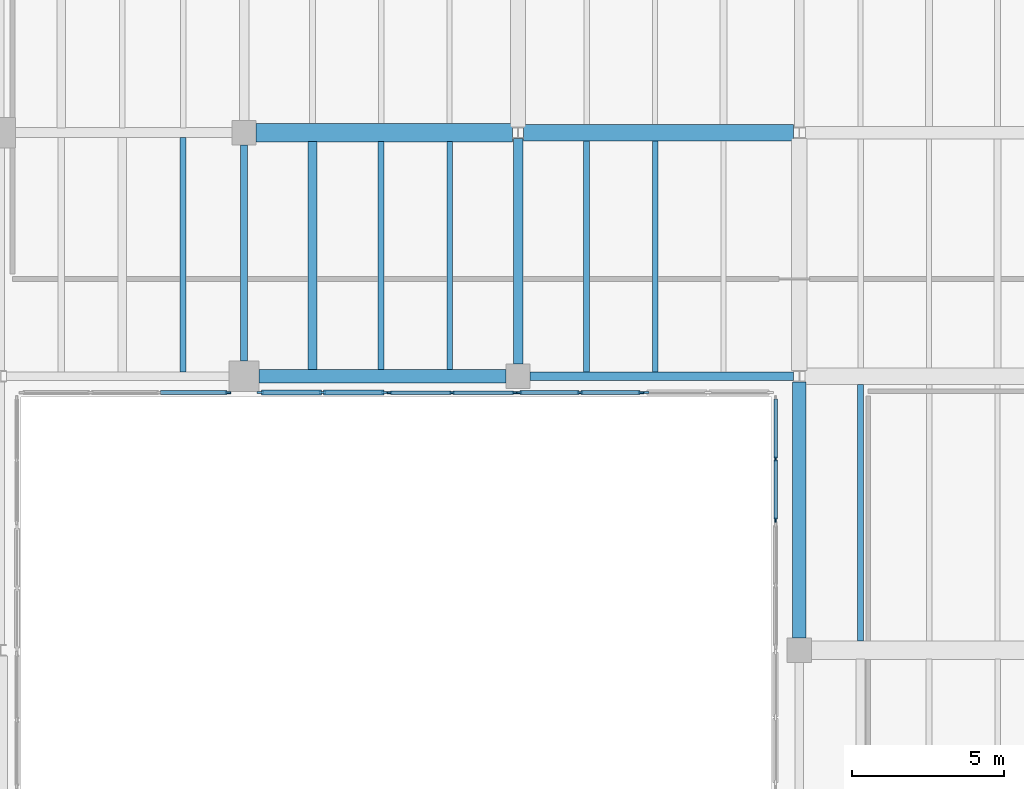
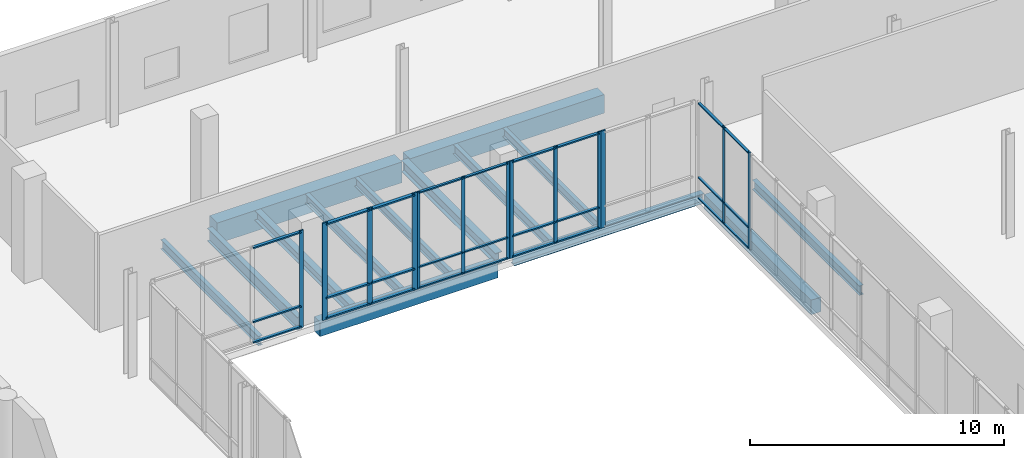
# One storey, part 47 of 81: 40 members, 14 beams, 6 elements without a shape of their own.
"""IFC4 building model written with IfcOpenShell, lengths in metres."""

from ifc_helpers import new_model, si_unit, direction, frame, origin, origin_2d, place, context, subcontext, project, spatial, rectangle, i_section, extrude, material, material_profile, profile_set, type_object, element, aggregate, save


model = new_model("IFC4")

# Units and contexts
model_context = context("Model", 3, precision=1e-05, world=origin(), true_north=direction((0.0, 1.0)))
body_context = subcontext(model_context, "Body", "Model", "MODEL_VIEW")
ifc_project = project(units=[si_unit("LENGTHUNIT", "METRE"), si_unit("AREAUNIT", "SQUARE_METRE"), si_unit("VOLUMEUNIT", "CUBIC_METRE"), si_unit("PLANEANGLEUNIT", "RADIAN"), si_unit("MASSUNIT", "GRAM", prefix="KILO")], contexts=[model_context])

# Site, building, storey
site_placement = place(None, origin())
site = spatial("IfcSite", under=ifc_project, at=site_placement, CompositionType="ELEMENT")
building_placement = place(site_placement, origin())
building = spatial("IfcBuilding", under=site, at=building_placement, Name="Trimount Lyric Opera House", CompositionType="ELEMENT")
storey_placement = place(building_placement, frame((0.0, 0.0, 5.0)))
storey = spatial("IfcBuildingStorey", under=building, at=storey_placement, Name="L01", CompositionType="ELEMENT", Elevation=5.0)

# Beams
ifc_material_1 = material(Name="Steel ASTM A992 Grade 50", Category="steel")
ifc_material_profile_1 = material_profile(ifc_material_1, i_section(OverallWidth=0.22998046875, OverallDepth=0.616943359375, WebThickness=0.01318359375, FlangeThickness=0.022216796875, FilletRadius=0.013916015625, at=origin_2d()), Name="W24X94")
ifc_profile_set_1 = profile_set([ifc_material_profile_1], Name="Steel ASTM A992 Grade 50")
beam_type_1 = type_object("IfcBeamType", Name="B-11", PredefinedType="BEAM", material=ifc_profile_set_1)
beam_1_placement = place(storey_placement, frame((130.0, 102.5, -0.618408203125), z_axis=(0.0, 1.0, 0.0), x_axis=(-1.0, 0.0, 0.0)))
element("IfcBeam", 1, at=beam_1_placement, inside=storey, type_object=beam_type_1, Name="L01 girder Y-0679", PredefinedType="BEAM", context=body_context, shape_type="SweptSolid", body=[
    extrude(i_section(OverallWidth=0.22998046875, OverallDepth=0.616943359375, WebThickness=0.01318359375, FlangeThickness=0.022216796875, FilletRadius=0.013916015625, at=origin_2d()), origin(), (0.0, 0.0, 1.0), 7.10009765625),
])
ifc_material_2 = material(Name="Steel ASTM A992 Grade 50", Category="steel")
ifc_material_profile_2 = material_profile(ifc_material_2, i_section(OverallWidth=0.31201171875, OverallDepth=0.5458984375, WebThickness=0.013916015625, FlangeThickness=0.022216796875, FilletRadius=0.014892578125, at=origin_2d()), Name="W21X111")
ifc_profile_set_2 = profile_set([ifc_material_profile_2], Name="Steel ASTM A992 Grade 50")
beam_type_2 = type_object("IfcBeamType", Name="B-12", PredefinedType="BEAM", material=ifc_profile_set_2)
beam_2_placement = place(storey_placement, frame((139.0, 102.39990234375, -0.5830078125), z_axis=(0.0, 1.0, 0.0), x_axis=(-1.0, 0.0, 0.0)))
element("IfcBeam", 2, at=beam_2_placement, inside=storey, type_object=beam_type_2, Name="L01 girder Y-0681", PredefinedType="BEAM", context=body_context, shape_type="SweptSolid", body=[
    extrude(i_section(OverallWidth=0.31201171875, OverallDepth=0.5458984375, WebThickness=0.013916015625, FlangeThickness=0.022216796875, FilletRadius=0.014892578125, at=origin_2d()), origin(), (0.0, 0.0, 1.0), 7.416015625),
])
ifc_material_3 = material(Name="Concrete C40/50", Category="concrete")
ifc_material_profile_3 = material_profile(ifc_material_3, rectangle(XDim=0.60009765625, YDim=1.0, at=origin_2d()), Name="RC600X1000")
ifc_profile_set_3 = profile_set([ifc_material_profile_3], Name="Concrete C40/50")
beam_type_3 = type_object("IfcBeamType", Name="B-13", PredefinedType="BEAM", material=ifc_profile_set_3)
beam_3_placement = place(storey_placement, frame((130.39990234375, 110.0, -0.81005859375), z_axis=(1.0, 0.0, 0.0), x_axis=(0.0, 1.0, 0.0)))
element("IfcBeam", 3, at=beam_3_placement, inside=storey, type_object=beam_type_3, Name="L01 girder X-0570", PredefinedType="BEAM", context=body_context, shape_type="SweptSolid", body=[
    extrude(rectangle(XDim=0.60009765625, YDim=1.0, at=origin_2d()), origin(), (0.0, 0.0, 1.0), 8.41357421875),
])
ifc_material_4 = material(Name="Concrete C40/50", Category="concrete")
ifc_material_profile_4 = material_profile(ifc_material_4, rectangle(XDim=0.550048828125, YDim=0.89990234375, at=origin_2d()), Name="RC550X900")
ifc_profile_set_4 = profile_set([ifc_material_profile_4], Name="Concrete C40/50")
beam_type_4 = type_object("IfcBeamType", Name="B-14", PredefinedType="BEAM", material=ifc_profile_set_4)
beam_4_placement = place(storey_placement, frame((139.1865234375, 110.0, -0.760009765625), z_axis=(1.0, 0.0, 0.0), x_axis=(0.0, 1.0, 0.0)))
element("IfcBeam", 4, at=beam_4_placement, inside=storey, type_object=beam_type_4, Name="L01 girder X-0571", PredefinedType="BEAM", context=body_context, shape_type="SweptSolid", body=[
    extrude(rectangle(XDim=0.550048828125, YDim=0.89990234375, at=origin_2d()), origin(), (0.0, 0.0, 1.0), 8.85400390625),
])
ifc_material_5 = material(Name="Steel ASTM A992 Grade 50", Category="steel")
ifc_material_profile_5 = material_profile(ifc_material_5, i_section(OverallWidth=0.281982421875, OverallDepth=0.467041015625, WebThickness=0.01220703125, FlangeThickness=0.01953125, FilletRadius=0.012939453125, at=origin_2d()), Name="W18X86")
ifc_profile_set_5 = profile_set([ifc_material_profile_5], Name="Steel ASTM A992 Grade 50")
beam_type_5 = type_object("IfcBeamType", Name="J-03", PredefinedType="BEAM", material=ifc_profile_set_5)
beam_5_placement = place(storey_placement, frame((132.25, 102.220947265625, -0.54345703125), z_axis=(0.0, 1.0, 0.0), x_axis=(-1.0, 0.0, 0.0)))
element("IfcBeam", 5, at=beam_5_placement, inside=storey, type_object=beam_type_5, Name="L01 composite floor joist 0722", PredefinedType="BEAM", context=body_context, shape_type="SweptSolid", body=[
    extrude(i_section(OverallWidth=0.281982421875, OverallDepth=0.467041015625, WebThickness=0.01220703125, FlangeThickness=0.01953125, FilletRadius=0.012939453125, at=origin_2d()), origin(), (0.0, 0.0, 1.0), 7.483154296875),
])
ifc_material_6 = material(Name="Steel ASTM A992 Grade 50", Category="steel")
ifc_material_profile_6 = material_profile(ifc_material_6, i_section(OverallWidth=0.19091796875, OverallDepth=0.45703125, WebThickness=0.009033203125, FlangeThickness=0.014404296875, FilletRadius=0.010986328125, at=origin_2d()), Name="W18X50")
ifc_profile_set_6 = profile_set([ifc_material_profile_6], Name="Steel ASTM A992 Grade 50")
beam_type_6 = type_object("IfcBeamType", Name="J-04", PredefinedType="BEAM", material=ifc_profile_set_6)
beam_6_placement = place(storey_placement, frame((128.0, 102.136962890625, -0.53857421875), z_axis=(0.0, 1.0, 0.0), x_axis=(-1.0, 0.0, 0.0)))
element("IfcBeam", 6, at=beam_6_placement, inside=storey, type_object=beam_type_6, Name="L01 composite floor joist 0718", PredefinedType="BEAM", context=body_context, shape_type="SweptSolid", body=[
    extrude(i_section(OverallWidth=0.19091796875, OverallDepth=0.45703125, WebThickness=0.009033203125, FlangeThickness=0.014404296875, FilletRadius=0.010986328125, at=origin_2d()), origin(), (0.0, 0.0, 1.0), 7.703125),
])
beam_7_placement = place(storey_placement, frame((134.5, 102.220947265625, -0.53857421875), z_axis=(0.0, 1.0, 0.0), x_axis=(-1.0, 0.0, 0.0)))
element("IfcBeam", 7, at=beam_7_placement, inside=storey, type_object=beam_type_6, Name="L01 composite floor joist 0723", PredefinedType="BEAM", context=body_context, shape_type="SweptSolid", body=[
    extrude(i_section(OverallWidth=0.19091796875, OverallDepth=0.45703125, WebThickness=0.009033203125, FlangeThickness=0.014404296875, FilletRadius=0.010986328125, at=origin_2d()), origin(), (0.0, 0.0, 1.0), 7.483154296875),
])
beam_8_placement = place(storey_placement, frame((141.25, 102.136962890625, -0.53857421875), z_axis=(0.0, 1.0, 0.0), x_axis=(-1.0, 0.0, 0.0)))
element("IfcBeam", 8, at=beam_8_placement, inside=storey, type_object=beam_type_6, Name="L01 composite floor joist 0728", PredefinedType="BEAM", context=body_context, shape_type="SweptSolid", body=[
    extrude(i_section(OverallWidth=0.19091796875, OverallDepth=0.45703125, WebThickness=0.009033203125, FlangeThickness=0.014404296875, FilletRadius=0.010986328125, at=origin_2d()), origin(), (0.0, 0.0, 1.0), 7.592041015625),
])
beam_9_placement = place(storey_placement, frame((150.25, 93.2958984375, -0.53857421875), z_axis=(0.0, 1.0, 0.0), x_axis=(-1.0, 0.0, 0.0)))
element("IfcBeam", 9, at=beam_9_placement, inside=storey, type_object=beam_type_6, Name="L01 composite floor joist 0746", PredefinedType="BEAM", context=body_context, shape_type="SweptSolid", body=[
    extrude(i_section(OverallWidth=0.19091796875, OverallDepth=0.45703125, WebThickness=0.009033203125, FlangeThickness=0.014404296875, FilletRadius=0.010986328125, at=origin_2d()), origin(), (0.0, 0.0, 1.0), 8.43310546875),
])
ifc_material_7 = material(Name="Steel ASTM A992 Grade 50", Category="steel")
ifc_material_profile_7 = material_profile(ifc_material_7, i_section(OverallWidth=0.180908203125, OverallDepth=0.4169921875, WebThickness=0.010986328125, FlangeThickness=0.018310546875, FilletRadius=0.010986328125, at=origin_2d()), Name="W16X57")
ifc_profile_set_7 = profile_set([ifc_material_profile_7], Name="Steel ASTM A992 Grade 50")
beam_type_7 = type_object("IfcBeamType", Name="J-05", PredefinedType="BEAM", material=ifc_profile_set_7)
beam_10_placement = place(storey_placement, frame((136.75, 102.220947265625, -0.5185546875), z_axis=(0.0, 1.0, 0.0), x_axis=(-1.0, 0.0, 0.0)))
element("IfcBeam", 10, at=beam_10_placement, inside=storey, type_object=beam_type_7, Name="L01 composite floor joist 0724", PredefinedType="BEAM", context=body_context, shape_type="SweptSolid", body=[
    extrude(i_section(OverallWidth=0.180908203125, OverallDepth=0.4169921875, WebThickness=0.010986328125, FlangeThickness=0.018310546875, FilletRadius=0.010986328125, at=origin_2d()), origin(), (0.0, 0.0, 1.0), 7.483154296875),
])
beam_11_placement = place(storey_placement, frame((143.5, 102.136962890625, -0.5185546875), z_axis=(0.0, 1.0, 0.0), x_axis=(-1.0, 0.0, 0.0)))
element("IfcBeam", 11, at=beam_11_placement, inside=storey, type_object=beam_type_7, Name="L01 composite floor joist 0729", PredefinedType="BEAM", context=body_context, shape_type="SweptSolid", body=[
    extrude(i_section(OverallWidth=0.180908203125, OverallDepth=0.4169921875, WebThickness=0.010986328125, FlangeThickness=0.018310546875, FilletRadius=0.010986328125, at=origin_2d()), origin(), (0.0, 0.0, 1.0), 7.592041015625),
])

# Curtain wall, member
ifc_material_8 = material(Name="Thermally Broken Aluminium and Low-E Glass", Category="aluminium")
curtain_wall_type = type_object("IfcCurtainWallType", Name="CW-03", PredefinedType="NOTDEFINED", material=ifc_material_8)
curtain_wall_1_placement = place(storey_placement, origin())
curtain_wall_1 = element("IfcCurtainWall", 12, at=curtain_wall_1_placement, inside=storey, type_object=curtain_wall_type, Name="L01 curtain wall 132", PredefinedType="NOTDEFINED")
ifc_material_9 = material(Name="Anodised Aluminium 6063-T6", Category="aluminium")
ifc_material_profile_8 = material_profile(ifc_material_9, rectangle(XDim=0.070068359375, YDim=0.219970703125, at=origin_2d()), Name="ALU-MULL-70X220")
ifc_profile_set_8 = profile_set([ifc_material_profile_8], Name="Anodised Aluminium 6063-T6")
member_type_1 = type_object("IfcMemberType", Name="ML-01", PredefinedType="MULLION", material=ifc_profile_set_8)
member_1_placement = place(storey_placement, frame((143.195068359375, 101.4599609375, 0.0), z_axis=(0.0, 0.0, 1.0), x_axis=(0.0, -1.0, 0.0)))
member_1 = element("IfcMember", 13, at=member_1_placement, type_object=member_type_1, Name="CW-03 mullion 3", PredefinedType="MULLION", context=body_context, shape_type="SweptSolid", body=[
    extrude(rectangle(XDim=0.070068359375, YDim=0.219970703125, at=origin_2d()), origin(), (0.0, 0.0, 1.0), 4.679931640625),
])
aggregate(curtain_wall_1, [member_1])

# Curtain wall, members
curtain_wall_2_placement = place(storey_placement, origin())
curtain_wall_2 = element("IfcCurtainWall", 14, at=curtain_wall_2_placement, inside=storey, type_object=curtain_wall_type, Name="L01 curtain wall 135", PredefinedType="NOTDEFINED")
member_2_placement = place(storey_placement, frame((134.625, 101.4599609375, 0.0), z_axis=(0.0, 0.0, 1.0), x_axis=(0.0, -1.0, 0.0)))
member_2 = element("IfcMember", 15, at=member_2_placement, type_object=member_type_1, Name="CW-03 mullion 1", PredefinedType="MULLION", context=body_context, shape_type="SweptSolid", body=[
    extrude(rectangle(XDim=0.070068359375, YDim=0.219970703125, at=origin_2d()), origin(), (0.0, 0.0, 1.0), 4.679931640625),
])
member_3_placement = place(storey_placement, frame((132.580078125, 101.4599609375, 0.0), z_axis=(0.0, 0.0, 1.0), x_axis=(0.0, -1.0, 0.0)))
member_3 = element("IfcMember", 16, at=member_3_placement, type_object=member_type_1, Name="CW-03 mullion 2", PredefinedType="MULLION", context=body_context, shape_type="SweptSolid", body=[
    extrude(rectangle(XDim=0.070068359375, YDim=0.219970703125, at=origin_2d()), origin(), (0.0, 0.0, 1.0), 4.679931640625),
])
member_4_placement = place(storey_placement, frame((130.534912109375, 101.4599609375, 0.0), z_axis=(0.0, 0.0, 1.0), x_axis=(0.0, -1.0, 0.0)))
member_4 = element("IfcMember", 17, at=member_4_placement, type_object=member_type_1, Name="CW-03 mullion 3", PredefinedType="MULLION", context=body_context, shape_type="SweptSolid", body=[
    extrude(rectangle(XDim=0.070068359375, YDim=0.219970703125, at=origin_2d()), origin(), (0.0, 0.0, 1.0), 4.679931640625),
])

curtain_wall_3_placement = place(storey_placement, origin())
curtain_wall_3 = element("IfcCurtainWall", 18, at=curtain_wall_3_placement, inside=storey, type_object=curtain_wall_type, Name="L01 curtain wall 133", PredefinedType="NOTDEFINED")
ifc_material_10 = material(Name="Anodised Aluminium 6063-T6", Category="aluminium")
ifc_material_profile_9 = material_profile(ifc_material_10, rectangle(XDim=0.06494140625, YDim=0.179931640625, at=origin_2d()), Name="ALU-MULL-65X180")
ifc_profile_set_9 = profile_set([ifc_material_profile_9], Name="Anodised Aluminium 6063-T6")
member_type_2 = type_object("IfcMemberType", Name="ML-02", PredefinedType="MULLION", material=ifc_profile_set_9)
member_5_placement = place(storey_placement, frame((143.03759765625, 101.4599609375, 0.0), z_axis=(0.0, 0.0, 1.0), x_axis=(0.0, -1.0, 0.0)))
member_5 = element("IfcMember", 19, at=member_5_placement, type_object=member_type_2, Name="CW-03 mullion 1", PredefinedType="MULLION", context=body_context, shape_type="SweptSolid", body=[
    extrude(rectangle(XDim=0.06494140625, YDim=0.179931640625, at=origin_2d()), origin(), (0.0, 0.0, 1.0), 4.679931640625),
])
member_6_placement = place(storey_placement, frame((141.034912109375, 101.4599609375, 0.0), z_axis=(0.0, 0.0, 1.0), x_axis=(0.0, -1.0, 0.0)))
member_6 = element("IfcMember", 20, at=member_6_placement, type_object=member_type_2, Name="CW-03 mullion 2", PredefinedType="MULLION", context=body_context, shape_type="SweptSolid", body=[
    extrude(rectangle(XDim=0.06494140625, YDim=0.179931640625, at=origin_2d()), origin(), (0.0, 0.0, 1.0), 4.679931640625),
])
member_7_placement = place(storey_placement, frame((139.032470703125, 101.4599609375, 0.0), z_axis=(0.0, 0.0, 1.0), x_axis=(0.0, -1.0, 0.0)))
member_7 = element("IfcMember", 21, at=member_7_placement, type_object=member_type_2, Name="CW-03 mullion 3", PredefinedType="MULLION", context=body_context, shape_type="SweptSolid", body=[
    extrude(rectangle(XDim=0.06494140625, YDim=0.179931640625, at=origin_2d()), origin(), (0.0, 0.0, 1.0), 4.679931640625),
])

# Curtain wall, member
curtain_wall_4_placement = place(storey_placement, origin())
curtain_wall_4 = element("IfcCurtainWall", 22, at=curtain_wall_4_placement, inside=storey, type_object=curtain_wall_type, Name="L01 curtain wall 136", PredefinedType="NOTDEFINED")
member_8_placement = place(storey_placement, frame((129.467529296875, 101.4599609375, 0.0), z_axis=(0.0, 0.0, 1.0), x_axis=(0.0, -1.0, 0.0)))
member_8 = element("IfcMember", 23, at=member_8_placement, type_object=member_type_2, Name="CW-03 mullion 1", PredefinedType="MULLION", context=body_context, shape_type="SweptSolid", body=[
    extrude(rectangle(XDim=0.06494140625, YDim=0.179931640625, at=origin_2d()), origin(), (0.0, 0.0, 1.0), 4.679931640625),
])

# Curtain wall, members
curtain_wall_5_placement = place(storey_placement, origin())
curtain_wall_5 = element("IfcCurtainWall", 24, at=curtain_wall_5_placement, inside=storey, type_object=curtain_wall_type, Name="L01 curtain wall 131", PredefinedType="NOTDEFINED")
ifc_material_11 = material(Name="Anodised Aluminium 6063-T6", Category="aluminium")
ifc_material_profile_10 = material_profile(ifc_material_11, rectangle(XDim=0.06005859375, YDim=0.14990234375, at=origin_2d()), Name="ALU-MULL-60X150")
ifc_profile_set_10 = profile_set([ifc_material_profile_10], Name="Anodised Aluminium 6063-T6")
member_type_3 = type_object("IfcMemberType", Name="ML-03", PredefinedType="MULLION", material=ifc_profile_set_10)
member_9_placement = place(storey_placement, frame((147.4599609375, 97.280029296875, 0.0), z_axis=(0.0, 0.0, 1.0), x_axis=(-1.0, 0.0, 0.0)))
member_9 = element("IfcMember", 25, at=member_9_placement, type_object=member_type_3, Name="CW-03 mullion 1", PredefinedType="MULLION", context=body_context, shape_type="SweptSolid", body=[
    extrude(rectangle(XDim=0.06005859375, YDim=0.14990234375, at=origin_2d()), origin(), (0.0, 0.0, 1.0), 4.679931640625),
])
member_10_placement = place(storey_placement, frame((147.4599609375, 99.284912109375, 0.0), z_axis=(0.0, 0.0, 1.0), x_axis=(-1.0, 0.0, 0.0)))
member_10 = element("IfcMember", 26, at=member_10_placement, type_object=member_type_3, Name="CW-03 mullion 2", PredefinedType="MULLION", context=body_context, shape_type="SweptSolid", body=[
    extrude(rectangle(XDim=0.06005859375, YDim=0.14990234375, at=origin_2d()), origin(), (0.0, 0.0, 1.0), 4.679931640625),
])

curtain_wall_6_placement = place(storey_placement, origin())
curtain_wall_6 = element("IfcCurtainWall", 27, at=curtain_wall_6_placement, inside=storey, type_object=curtain_wall_type, Name="L01 curtain wall 134", PredefinedType="NOTDEFINED")
member_11_placement = place(storey_placement, frame((138.8798828125, 101.4599609375, 0.0), z_axis=(0.0, 0.0, 1.0), x_axis=(0.0, -1.0, 0.0)))
member_11 = element("IfcMember", 28, at=member_11_placement, type_object=member_type_3, Name="CW-03 mullion 1", PredefinedType="MULLION", context=body_context, shape_type="SweptSolid", body=[
    extrude(rectangle(XDim=0.06005859375, YDim=0.14990234375, at=origin_2d()), origin(), (0.0, 0.0, 1.0), 4.679931640625),
])
member_12_placement = place(storey_placement, frame((136.830078125, 101.4599609375, 0.0), z_axis=(0.0, 0.0, 1.0), x_axis=(0.0, -1.0, 0.0)))
member_12 = element("IfcMember", 29, at=member_12_placement, type_object=member_type_3, Name="CW-03 mullion 2", PredefinedType="MULLION", context=body_context, shape_type="SweptSolid", body=[
    extrude(rectangle(XDim=0.06005859375, YDim=0.14990234375, at=origin_2d()), origin(), (0.0, 0.0, 1.0), 4.679931640625),
])
member_13_placement = place(storey_placement, frame((134.780029296875, 101.4599609375, 0.0), z_axis=(0.0, 0.0, 1.0), x_axis=(0.0, -1.0, 0.0)))
member_13 = element("IfcMember", 30, at=member_13_placement, type_object=member_type_3, Name="CW-03 mullion 3", PredefinedType="MULLION", context=body_context, shape_type="SweptSolid", body=[
    extrude(rectangle(XDim=0.06005859375, YDim=0.14990234375, at=origin_2d()), origin(), (0.0, 0.0, 1.0), 4.679931640625),
])

# Beams
ifc_material_12 = material(Name="Steel ASTM A992 Grade 50", Category="steel")
ifc_material_profile_11 = material_profile(ifc_material_12, i_section(OverallWidth=0.281982421875, OverallDepth=0.467041015625, WebThickness=0.01220703125, FlangeThickness=0.01953125, FilletRadius=0.012939453125, at=origin_2d()), Name="W18X86")
ifc_profile_set_11 = profile_set([ifc_material_profile_11], Name="Steel ASTM A992 Grade 50")
beam_type_8 = type_object("IfcBeamType", Name="SP-01", PredefinedType="SPANDREL", material=ifc_profile_set_11)
beam_12_placement = place(storey_placement, frame((139.39990234375, 102.0, -0.54345703125), z_axis=(1.0, 0.0, 0.0), x_axis=(0.0, 1.0, 0.0)))
element("IfcBeam", 31, at=beam_12_placement, inside=storey, type_object=beam_type_8, Name="L01 girder X-0559", PredefinedType="SPANDREL", context=body_context, shape_type="SweptSolid", body=[
    extrude(i_section(OverallWidth=0.281982421875, OverallDepth=0.467041015625, WebThickness=0.01220703125, FlangeThickness=0.01953125, FilletRadius=0.012939453125, at=origin_2d()), origin(), (0.0, 0.0, 1.0), 8.653564453125),
])
ifc_material_13 = material(Name="Concrete C40/50", Category="concrete")
ifc_material_profile_12 = material_profile(ifc_material_13, rectangle(XDim=0.449951171875, YDim=0.699951171875, at=origin_2d()), Name="RC450X700")
ifc_profile_set_12 = profile_set([ifc_material_profile_12], Name="Concrete C40/50")
beam_type_9 = type_object("IfcBeamType", Name="SP-02", PredefinedType="SPANDREL", material=ifc_profile_set_12)
beam_13_placement = place(storey_placement, frame((130.5, 102.0, -0.659912109375), z_axis=(1.0, 0.0, 0.0), x_axis=(0.0, 1.0, 0.0)))
element("IfcBeam", 32, at=beam_13_placement, inside=storey, type_object=beam_type_9, Name="L01 girder X-0558", PredefinedType="SPANDREL", context=body_context, shape_type="SweptSolid", body=[
    extrude(rectangle(XDim=0.449951171875, YDim=0.699951171875, at=origin_2d()), origin(), (0.0, 0.0, 1.0), 8.10009765625),
])
beam_14_placement = place(storey_placement, frame((148.239990234375, 93.39990234375, -0.659912109375), z_axis=(0.0, 1.0, 0.0), x_axis=(-1.0, 0.0, 0.0)))
element("IfcBeam", 33, at=beam_14_placement, inside=storey, type_object=beam_type_9, Name="L01 girder Y-0688", PredefinedType="SPANDREL", context=body_context, shape_type="SweptSolid", body=[
    extrude(rectangle(XDim=0.449951171875, YDim=0.699951171875, at=origin_2d()), origin(), (0.0, 0.0, 1.0), 8.416015625),
])

# Member
ifc_material_14 = material(Name="Anodised Aluminium 6063-T6", Category="aluminium")
ifc_material_profile_13 = material_profile(ifc_material_14, rectangle(XDim=0.159912109375, YDim=0.070068359375, at=origin_2d()), Name="ALU-TRAN-70X160")
ifc_profile_set_13 = profile_set([ifc_material_profile_13], Name="Anodised Aluminium 6063-T6")
member_type_4 = type_object("IfcMemberType", Name="TR-01", PredefinedType="USERDEFINED", material=ifc_profile_set_13)
member_14_placement = place(storey_placement, frame((134.590087890625, 101.4599609375, 0.080078125), z_axis=(-1.0, 0.0, 0.0), x_axis=(0.0, -1.0, 0.0)))
member_14 = element("IfcMember", 34, at=member_14_placement, type_object=member_type_4, Name="CW-03 transom 1.1", ObjectType="TRANSOM", PredefinedType="USERDEFINED", context=body_context, shape_type="SweptSolid", body=[
    extrude(rectangle(XDim=0.159912109375, YDim=0.070068359375, at=origin_2d()), origin(), (0.0, 0.0, 1.0), 1.97509765625),
])

member_15_placement = place(storey_placement, frame((134.590087890625, 101.4599609375, 1.050048828125), z_axis=(-1.0, 0.0, 0.0), x_axis=(0.0, -1.0, 0.0)))
member_15 = element("IfcMember", 35, at=member_15_placement, type_object=member_type_4, Name="CW-03 transom 1.2", ObjectType="TRANSOM", PredefinedType="USERDEFINED", context=body_context, shape_type="SweptSolid", body=[
    extrude(rectangle(XDim=0.159912109375, YDim=0.070068359375, at=origin_2d()), origin(), (0.0, 0.0, 1.0), 1.97509765625),
])

member_16_placement = place(storey_placement, frame((134.590087890625, 101.4599609375, 4.60009765625), z_axis=(-1.0, 0.0, 0.0), x_axis=(0.0, -1.0, 0.0)))
member_16 = element("IfcMember", 36, at=member_16_placement, type_object=member_type_4, Name="CW-03 transom 1.3", ObjectType="TRANSOM", PredefinedType="USERDEFINED", context=body_context, shape_type="SweptSolid", body=[
    extrude(rectangle(XDim=0.159912109375, YDim=0.070068359375, at=origin_2d()), origin(), (0.0, 0.0, 1.0), 1.97509765625),
])

member_17_placement = place(storey_placement, frame((132.544921875, 101.4599609375, 0.080078125), z_axis=(-1.0, 0.0, 0.0), x_axis=(0.0, -1.0, 0.0)))
member_17 = element("IfcMember", 37, at=member_17_placement, type_object=member_type_4, Name="CW-03 transom 2.1", ObjectType="TRANSOM", PredefinedType="USERDEFINED", context=body_context, shape_type="SweptSolid", body=[
    extrude(rectangle(XDim=0.159912109375, YDim=0.070068359375, at=origin_2d()), origin(), (0.0, 0.0, 1.0), 1.974853515625),
])

member_18_placement = place(storey_placement, frame((132.544921875, 101.4599609375, 1.050048828125), z_axis=(-1.0, 0.0, 0.0), x_axis=(0.0, -1.0, 0.0)))
member_18 = element("IfcMember", 38, at=member_18_placement, type_object=member_type_4, Name="CW-03 transom 2.2", ObjectType="TRANSOM", PredefinedType="USERDEFINED", context=body_context, shape_type="SweptSolid", body=[
    extrude(rectangle(XDim=0.159912109375, YDim=0.070068359375, at=origin_2d()), origin(), (0.0, 0.0, 1.0), 1.974853515625),
])

member_19_placement = place(storey_placement, frame((132.544921875, 101.4599609375, 4.60009765625), z_axis=(-1.0, 0.0, 0.0), x_axis=(0.0, -1.0, 0.0)))
member_19 = element("IfcMember", 39, at=member_19_placement, type_object=member_type_4, Name="CW-03 transom 2.3", ObjectType="TRANSOM", PredefinedType="USERDEFINED", context=body_context, shape_type="SweptSolid", body=[
    extrude(rectangle(XDim=0.159912109375, YDim=0.070068359375, at=origin_2d()), origin(), (0.0, 0.0, 1.0), 1.974853515625),
])

aggregate(curtain_wall_2, [member_2, member_3, member_4, member_14, member_15, member_16, member_17, member_18, member_19])

ifc_material_15 = material(Name="Anodised Aluminium 6063-T6", Category="aluminium")
ifc_material_profile_14 = material_profile(ifc_material_15, rectangle(XDim=0.135009765625, YDim=0.06494140625, at=origin_2d()), Name="ALU-TRAN-65X135")
ifc_profile_set_14 = profile_set([ifc_material_profile_14], Name="Anodised Aluminium 6063-T6")
member_type_5 = type_object("IfcMemberType", Name="TR-02", PredefinedType="USERDEFINED", material=ifc_profile_set_14)
member_20_placement = place(storey_placement, frame((143.0048828125, 101.4599609375, 0.0673828125), z_axis=(-1.0, 0.0, 0.0), x_axis=(0.0, -1.0, 0.0)))
member_20 = element("IfcMember", 40, at=member_20_placement, type_object=member_type_5, Name="CW-03 transom 1.1", ObjectType="TRANSOM", PredefinedType="USERDEFINED", context=body_context, shape_type="SweptSolid", body=[
    extrude(rectangle(XDim=0.135009765625, YDim=0.06494140625, at=origin_2d()), origin(), (0.0, 0.0, 1.0), 1.9375),
])

member_21_placement = place(storey_placement, frame((143.0048828125, 101.4599609375, 1.050048828125), z_axis=(-1.0, 0.0, 0.0), x_axis=(0.0, -1.0, 0.0)))
member_21 = element("IfcMember", 41, at=member_21_placement, type_object=member_type_5, Name="CW-03 transom 1.2", ObjectType="TRANSOM", PredefinedType="USERDEFINED", context=body_context, shape_type="SweptSolid", body=[
    extrude(rectangle(XDim=0.135009765625, YDim=0.06494140625, at=origin_2d()), origin(), (0.0, 0.0, 1.0), 1.9375),
])

member_22_placement = place(storey_placement, frame((143.0048828125, 101.4599609375, 4.612548828125), z_axis=(-1.0, 0.0, 0.0), x_axis=(0.0, -1.0, 0.0)))
member_22 = element("IfcMember", 42, at=member_22_placement, type_object=member_type_5, Name="CW-03 transom 1.3", ObjectType="TRANSOM", PredefinedType="USERDEFINED", context=body_context, shape_type="SweptSolid", body=[
    extrude(rectangle(XDim=0.135009765625, YDim=0.06494140625, at=origin_2d()), origin(), (0.0, 0.0, 1.0), 1.9375),
])

member_23_placement = place(storey_placement, frame((141.00244140625, 101.4599609375, 0.0673828125), z_axis=(-1.0, 0.0, 0.0), x_axis=(0.0, -1.0, 0.0)))
member_23 = element("IfcMember", 43, at=member_23_placement, type_object=member_type_5, Name="CW-03 transom 2.1", ObjectType="TRANSOM", PredefinedType="USERDEFINED", context=body_context, shape_type="SweptSolid", body=[
    extrude(rectangle(XDim=0.135009765625, YDim=0.06494140625, at=origin_2d()), origin(), (0.0, 0.0, 1.0), 1.9375),
])

member_24_placement = place(storey_placement, frame((141.00244140625, 101.4599609375, 1.050048828125), z_axis=(-1.0, 0.0, 0.0), x_axis=(0.0, -1.0, 0.0)))
member_24 = element("IfcMember", 44, at=member_24_placement, type_object=member_type_5, Name="CW-03 transom 2.2", ObjectType="TRANSOM", PredefinedType="USERDEFINED", context=body_context, shape_type="SweptSolid", body=[
    extrude(rectangle(XDim=0.135009765625, YDim=0.06494140625, at=origin_2d()), origin(), (0.0, 0.0, 1.0), 1.9375),
])

member_25_placement = place(storey_placement, frame((141.00244140625, 101.4599609375, 4.612548828125), z_axis=(-1.0, 0.0, 0.0), x_axis=(0.0, -1.0, 0.0)))
member_25 = element("IfcMember", 45, at=member_25_placement, type_object=member_type_5, Name="CW-03 transom 2.3", ObjectType="TRANSOM", PredefinedType="USERDEFINED", context=body_context, shape_type="SweptSolid", body=[
    extrude(rectangle(XDim=0.135009765625, YDim=0.06494140625, at=origin_2d()), origin(), (0.0, 0.0, 1.0), 1.9375),
])

aggregate(curtain_wall_3, [member_5, member_6, member_7, member_20, member_21, member_22, member_23, member_24, member_25])

member_26_placement = place(storey_placement, frame((129.43505859375, 101.4599609375, 0.0673828125), z_axis=(-1.0, 0.0, 0.0), x_axis=(0.0, -1.0, 0.0)))
member_26 = element("IfcMember", 46, at=member_26_placement, type_object=member_type_5, Name="CW-03 transom 1.1", ObjectType="TRANSOM", PredefinedType="USERDEFINED", context=body_context, shape_type="SweptSolid", body=[
    extrude(rectangle(XDim=0.135009765625, YDim=0.06494140625, at=origin_2d()), origin(), (0.0, 0.0, 1.0), 2.17578125),
])

member_27_placement = place(storey_placement, frame((129.43505859375, 101.4599609375, 1.050048828125), z_axis=(-1.0, 0.0, 0.0), x_axis=(0.0, -1.0, 0.0)))
member_27 = element("IfcMember", 47, at=member_27_placement, type_object=member_type_5, Name="CW-03 transom 1.2", ObjectType="TRANSOM", PredefinedType="USERDEFINED", context=body_context, shape_type="SweptSolid", body=[
    extrude(rectangle(XDim=0.135009765625, YDim=0.06494140625, at=origin_2d()), origin(), (0.0, 0.0, 1.0), 2.17578125),
])

member_28_placement = place(storey_placement, frame((129.43505859375, 101.4599609375, 4.612548828125), z_axis=(-1.0, 0.0, 0.0), x_axis=(0.0, -1.0, 0.0)))
member_28 = element("IfcMember", 48, at=member_28_placement, type_object=member_type_5, Name="CW-03 transom 1.3", ObjectType="TRANSOM", PredefinedType="USERDEFINED", context=body_context, shape_type="SweptSolid", body=[
    extrude(rectangle(XDim=0.135009765625, YDim=0.06494140625, at=origin_2d()), origin(), (0.0, 0.0, 1.0), 2.17578125),
])

aggregate(curtain_wall_4, [member_8, member_26, member_27, member_28])

ifc_material_16 = material(Name="Anodised Aluminium 6063-T6", Category="aluminium")
ifc_material_profile_15 = material_profile(ifc_material_16, rectangle(XDim=0.114990234375, YDim=0.06005859375, at=origin_2d()), Name="ALU-TRAN-60X115")
ifc_profile_set_15 = profile_set([ifc_material_profile_15], Name="Anodised Aluminium 6063-T6")
member_type_6 = type_object("IfcMemberType", Name="TR-03", PredefinedType="USERDEFINED", material=ifc_profile_set_15)
member_29_placement = place(storey_placement, frame((147.4599609375, 97.31005859375, 0.0576171875), z_axis=(0.0, 1.0, 0.0), x_axis=(-1.0, 0.0, 0.0)))
member_29 = element("IfcMember", 49, at=member_29_placement, type_object=member_type_6, Name="CW-03 transom 1.1", ObjectType="TRANSOM", PredefinedType="USERDEFINED", context=body_context, shape_type="SweptSolid", body=[
    extrude(rectangle(XDim=0.114990234375, YDim=0.06005859375, at=origin_2d()), origin(), (0.0, 0.0, 1.0), 1.94482421875),
])

member_30_placement = place(storey_placement, frame((147.4599609375, 97.31005859375, 1.050048828125), z_axis=(0.0, 1.0, 0.0), x_axis=(-1.0, 0.0, 0.0)))
member_30 = element("IfcMember", 50, at=member_30_placement, type_object=member_type_6, Name="CW-03 transom 1.2", ObjectType="TRANSOM", PredefinedType="USERDEFINED", context=body_context, shape_type="SweptSolid", body=[
    extrude(rectangle(XDim=0.114990234375, YDim=0.06005859375, at=origin_2d()), origin(), (0.0, 0.0, 1.0), 1.94482421875),
])

member_31_placement = place(storey_placement, frame((147.4599609375, 97.31005859375, 4.62255859375), z_axis=(0.0, 1.0, 0.0), x_axis=(-1.0, 0.0, 0.0)))
member_31 = element("IfcMember", 51, at=member_31_placement, type_object=member_type_6, Name="CW-03 transom 1.3", ObjectType="TRANSOM", PredefinedType="USERDEFINED", context=body_context, shape_type="SweptSolid", body=[
    extrude(rectangle(XDim=0.114990234375, YDim=0.06005859375, at=origin_2d()), origin(), (0.0, 0.0, 1.0), 1.94482421875),
])

member_32_placement = place(storey_placement, frame((147.4599609375, 99.31494140625, 0.0576171875), z_axis=(0.0, 1.0, 0.0), x_axis=(-1.0, 0.0, 0.0)))
member_32 = element("IfcMember", 52, at=member_32_placement, type_object=member_type_6, Name="CW-03 transom 2.1", ObjectType="TRANSOM", PredefinedType="USERDEFINED", context=body_context, shape_type="SweptSolid", body=[
    extrude(rectangle(XDim=0.114990234375, YDim=0.06005859375, at=origin_2d()), origin(), (0.0, 0.0, 1.0), 1.945068359375),
])

member_33_placement = place(storey_placement, frame((147.4599609375, 99.31494140625, 1.050048828125), z_axis=(0.0, 1.0, 0.0), x_axis=(-1.0, 0.0, 0.0)))
member_33 = element("IfcMember", 53, at=member_33_placement, type_object=member_type_6, Name="CW-03 transom 2.2", ObjectType="TRANSOM", PredefinedType="USERDEFINED", context=body_context, shape_type="SweptSolid", body=[
    extrude(rectangle(XDim=0.114990234375, YDim=0.06005859375, at=origin_2d()), origin(), (0.0, 0.0, 1.0), 1.945068359375),
])

member_34_placement = place(storey_placement, frame((147.4599609375, 99.31494140625, 4.62255859375), z_axis=(0.0, 1.0, 0.0), x_axis=(-1.0, 0.0, 0.0)))
member_34 = element("IfcMember", 54, at=member_34_placement, type_object=member_type_6, Name="CW-03 transom 2.3", ObjectType="TRANSOM", PredefinedType="USERDEFINED", context=body_context, shape_type="SweptSolid", body=[
    extrude(rectangle(XDim=0.114990234375, YDim=0.06005859375, at=origin_2d()), origin(), (0.0, 0.0, 1.0), 1.945068359375),
])

aggregate(curtain_wall_5, [member_9, member_10, member_29, member_30, member_31, member_32, member_33, member_34])

member_35_placement = place(storey_placement, frame((138.85009765625, 101.4599609375, 0.0576171875), z_axis=(-1.0, 0.0, 0.0), x_axis=(0.0, -1.0, 0.0)))
member_35 = element("IfcMember", 55, at=member_35_placement, type_object=member_type_6, Name="CW-03 transom 1.1", ObjectType="TRANSOM", PredefinedType="USERDEFINED", context=body_context, shape_type="SweptSolid", body=[
    extrude(rectangle(XDim=0.114990234375, YDim=0.06005859375, at=origin_2d()), origin(), (0.0, 0.0, 1.0), 1.989990234375),
])

member_36_placement = place(storey_placement, frame((138.85009765625, 101.4599609375, 1.050048828125), z_axis=(-1.0, 0.0, 0.0), x_axis=(0.0, -1.0, 0.0)))
member_36 = element("IfcMember", 56, at=member_36_placement, type_object=member_type_6, Name="CW-03 transom 1.2", ObjectType="TRANSOM", PredefinedType="USERDEFINED", context=body_context, shape_type="SweptSolid", body=[
    extrude(rectangle(XDim=0.114990234375, YDim=0.06005859375, at=origin_2d()), origin(), (0.0, 0.0, 1.0), 1.989990234375),
])

member_37_placement = place(storey_placement, frame((138.85009765625, 101.4599609375, 4.62255859375), z_axis=(-1.0, 0.0, 0.0), x_axis=(0.0, -1.0, 0.0)))
member_37 = element("IfcMember", 57, at=member_37_placement, type_object=member_type_6, Name="CW-03 transom 1.3", ObjectType="TRANSOM", PredefinedType="USERDEFINED", context=body_context, shape_type="SweptSolid", body=[
    extrude(rectangle(XDim=0.114990234375, YDim=0.06005859375, at=origin_2d()), origin(), (0.0, 0.0, 1.0), 1.989990234375),
])

member_38_placement = place(storey_placement, frame((136.800048828125, 101.4599609375, 0.0576171875), z_axis=(-1.0, 0.0, 0.0), x_axis=(0.0, -1.0, 0.0)))
member_38 = element("IfcMember", 58, at=member_38_placement, type_object=member_type_6, Name="CW-03 transom 2.1", ObjectType="TRANSOM", PredefinedType="USERDEFINED", context=body_context, shape_type="SweptSolid", body=[
    extrude(rectangle(XDim=0.114990234375, YDim=0.06005859375, at=origin_2d()), origin(), (0.0, 0.0, 1.0), 1.989990234375),
])

member_39_placement = place(storey_placement, frame((136.800048828125, 101.4599609375, 1.050048828125), z_axis=(-1.0, 0.0, 0.0), x_axis=(0.0, -1.0, 0.0)))
member_39 = element("IfcMember", 59, at=member_39_placement, type_object=member_type_6, Name="CW-03 transom 2.2", ObjectType="TRANSOM", PredefinedType="USERDEFINED", context=body_context, shape_type="SweptSolid", body=[
    extrude(rectangle(XDim=0.114990234375, YDim=0.06005859375, at=origin_2d()), origin(), (0.0, 0.0, 1.0), 1.989990234375),
])

member_40_placement = place(storey_placement, frame((136.800048828125, 101.4599609375, 4.62255859375), z_axis=(-1.0, 0.0, 0.0), x_axis=(0.0, -1.0, 0.0)))
member_40 = element("IfcMember", 60, at=member_40_placement, type_object=member_type_6, Name="CW-03 transom 2.3", ObjectType="TRANSOM", PredefinedType="USERDEFINED", context=body_context, shape_type="SweptSolid", body=[
    extrude(rectangle(XDim=0.114990234375, YDim=0.06005859375, at=origin_2d()), origin(), (0.0, 0.0, 1.0), 1.989990234375),
])

aggregate(curtain_wall_6, [member_11, member_12, member_13, member_35, member_36, member_37, member_38, member_39, member_40])

save(model, "model.ifc")
